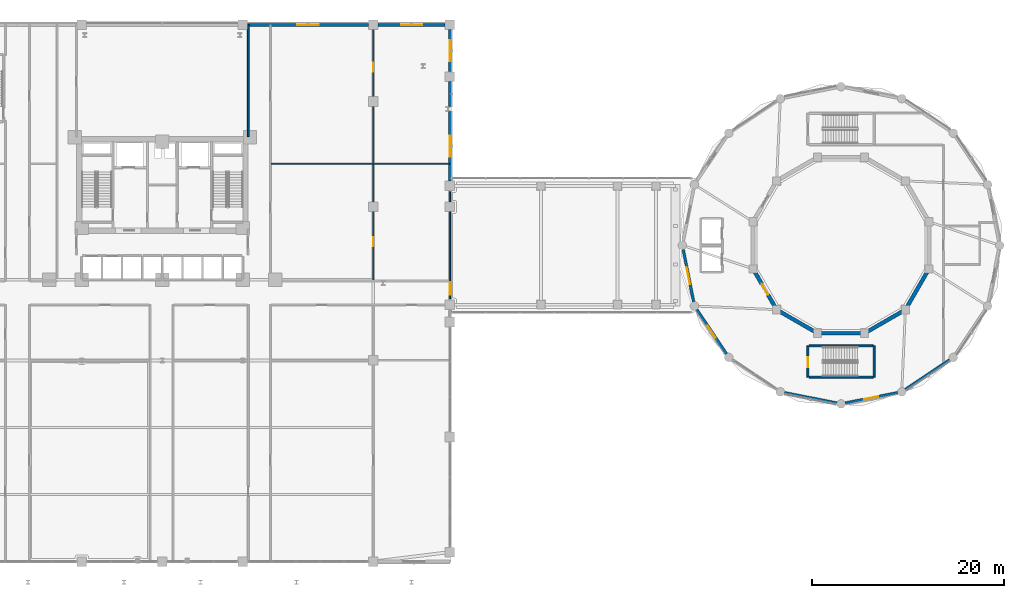
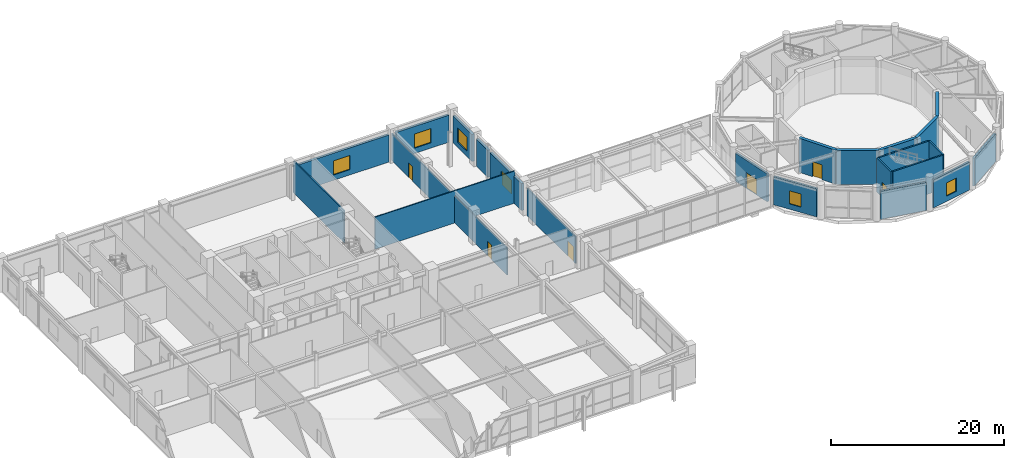
# One storey, part 35 of 48: 23 walls, 6 doors, 6 windows, 12 openings.
"""IFC4 building model written with IfcOpenShell, lengths in metres."""

from ifc_helpers import new_model, si_unit, derived_unit, direction, frame, frame_2d, origin, place, context, subcontext, project, spatial, rectangle, extrude, material, layer, layer_set, type_object, element, fill, save


model = new_model("IFC4")

# Units and contexts
model_context = context("Model", 3, precision=1e-05, world=origin(), true_north=direction((0.0, 1.0)))
body_context = subcontext(model_context, "Body", "Model", "MODEL_VIEW")
ifc_project = project(units=[si_unit("LENGTHUNIT", "METRE"), si_unit("AREAUNIT", "SQUARE_METRE"), si_unit("VOLUMEUNIT", "CUBIC_METRE"), si_unit("PLANEANGLEUNIT", "RADIAN"), si_unit("MASSUNIT", "GRAM", prefix="KILO"), derived_unit("THERMALTRANSMITTANCEUNIT", [(si_unit("POWERUNIT", "WATT"), 1), (si_unit("LENGTHUNIT", "METRE"), -2), (si_unit("THERMODYNAMICTEMPERATUREUNIT", "KELVIN"), -1)])], contexts=[model_context])

# Site, building, storey
site_placement = place(None, origin())
site = spatial("IfcSite", under=ifc_project, at=site_placement, CompositionType="ELEMENT")
building_placement = place(site_placement, origin())
building = spatial("IfcBuilding", under=site, at=building_placement, Name="Korsvarv Bourse and Concert Hall", CompositionType="ELEMENT")
storey_placement = place(building_placement, frame((0.0, 0.0, 4.800048828125)))
storey = spatial("IfcBuildingStorey", under=building, at=storey_placement, Name="L01", CompositionType="ELEMENT", Elevation=4.800048828125)

# Wall, opening, door
ifc_material_1 = material(Name="Concrete C50/60", Category="concrete")
ifc_layer_1 = layer(ifc_material_1, 0.3798828125)
ifc_layer_set_1 = layer_set([ifc_layer_1], Name="Concrete C50/60")
wall_type_1 = type_object("IfcWallType", Name="WL-CORE-380", PredefinedType="SHEAR", material=ifc_layer_set_1)
wall_1_placement = place(storey_placement, frame((103.35009765625, 22.239990234375, 0.0), z_axis=(0.0, 0.0, 1.0), x_axis=(0.0, 1.0, 0.0)))
wall_1 = element("IfcWall", 1, at=wall_1_placement, inside=storey, type_object=wall_type_1, Name="L01 stair shaft structural wall W-L01-STCH2-W", PredefinedType="SHEAR", context=body_context, shape_type="SweptSolid", body=[
    extrude(rectangle(XDim=3.260009765625, YDim=0.199951171875, at=frame_2d((1.6298828125, 0.0))), origin(), (0.0, 0.0, 1.0), 4.800048828125),
])
opening_1_placement = place(wall_1_placement, frame((1.050048828125, 0.0, 0.0)))
opening_1 = element("IfcOpeningElement", 2, at=opening_1_placement, cuts=wall_1, Name="Opening D-01", PredefinedType="OPENING", context=body_context, shape_type="SweptSolid", body=[
    extrude(rectangle(XDim=1.050048828125, YDim=2.10009765625, at=frame_2d((0.52490234375, 1.050048828125))), frame((0.0, 0.10986328125, 0.0), z_axis=(0.0, -1.0, 0.0), x_axis=(1.0, 0.0, 0.0)), (0.0, 0.0, 1.0), 0.219970703125),
])
ifc_material_2 = material(Name="Steel S355 fire door", Category="steel")
door_type_1 = type_object("IfcDoorType", Name="DR-FD60", OperationType="NOTDEFINED", PredefinedType="DOOR", material=ifc_material_2)
door_1_placement = place(opening_1_placement, origin())
door_1 = element("IfcDoor", 3, at=door_1_placement, inside=storey, type_object=door_type_1, Name="L01 interior door DR-L01-STCH2", OperationType="SINGLE_SWING_RIGHT", OverallHeight=2.10009765625, OverallWidth=1.050048828125, PredefinedType="DOOR", context=body_context, shape_type="SweptSolid", body=[
    extrude(rectangle(XDim=1.050048828125, YDim=2.10009765625, at=frame_2d((0.52490234375, 1.050048828125))), frame((0.0, 0.02490234375, 0.0), z_axis=(0.0, -1.0, 0.0), x_axis=(1.0, 0.0, 0.0)), (0.0, 0.0, 1.0), 0.050048828125),
])
fill(opening_1, door_1)

# Walls
for number, where, z_axis, x_axis, name in (
    (4, (103.4599609375, 25.5, 0.0), (0.0, 0.0, 1.0), (1.0, 0.0, 0.0), "L01 stair shaft structural wall W-L01-STCH2-N"),
    (5, (103.4599609375, 22.239990234375, 0.0), (0.0, 0.0, 1.0), (1.0, 0.0, 0.0), "L01 stair shaft structural wall W-L01-STCH2-S"),
):
    element("IfcWall", number, at=place(storey_placement, frame(where, z_axis=z_axis, x_axis=x_axis)), inside=storey, type_object=wall_type_1, Name=name, PredefinedType="SHEAR", context=body_context, shape_type="SweptSolid", body=[
        extrude(rectangle(XDim=6.679931640625, YDim=0.199951171875, at=frame_2d((3.33984375, 0.0))), origin(), (0.0, 0.0, 1.0), 4.800048828125),
    ])
wall_2_placement = place(storey_placement, frame((110.25, 22.239990234375, 0.0), z_axis=(0.0, 0.0, 1.0), x_axis=(0.0, 1.0, 0.0)))
element("IfcWall", 6, at=wall_2_placement, inside=storey, type_object=wall_type_1, Name="L01 stair shaft structural wall W-L01-STCH2-E", PredefinedType="SHEAR", context=body_context, shape_type="SweptSolid", body=[
    extrude(rectangle(XDim=3.260009765625, YDim=0.199951171875, at=frame_2d((1.6298828125, 0.0))), origin(), (0.0, 0.0, 1.0), 4.800048828125),
])

# Wall, opening, door
ifc_layer_2 = layer(ifc_material_1, 0.39990234375)
ifc_layer_set_2 = layer_set([ifc_layer_2], Name="Concrete C50/60")
wall_type_2 = type_object("IfcWallType", Name="WL-DRM-400", PredefinedType="SOLIDWALL", material=ifc_layer_set_2)
wall_3_placement = place(storey_placement, frame((97.623779296875, 33.541259765625, 0.0), z_axis=(0.0, 0.0, 1.0), x_axis=(0.499988900423, -0.866031812033, 0.0)))
wall_3 = element("IfcWall", 7, at=wall_3_placement, inside=storey, type_object=wall_type_2, Name="L01 Concert Hall Acoustic Bowl Wall 7", PredefinedType="SOLIDWALL", context=body_context, shape_type="SweptSolid", body=[
    extrude(rectangle(XDim=4.91748046875, YDim=0.39990234375, at=frame_2d((2.458740234375, 0.0))), origin(), (0.0, 0.0, 1.0), 4.800048828125),
])
opening_2_placement = place(wall_3_placement, frame((1.808837890625, 0.0, 0.0)))
opening_2 = element("IfcOpeningElement", 8, at=opening_2_placement, cuts=wall_3, Name="Opening D-04", PredefinedType="OPENING", context=body_context, shape_type="SweptSolid", body=[
    extrude(rectangle(XDim=1.300048828125, YDim=2.10009765625, at=frame_2d((0.64990234375, 1.050048828125))), frame((0.0, 0.2099609375, 0.0), z_axis=(0.0, -1.0, 0.0), x_axis=(1.0, 0.0, 0.0)), (0.0, 0.0, 1.0), 0.419921875),
])
ifc_material_3 = material(Name="Glazed aluminium double corridor door", Category="aluminium")
door_type_2 = type_object("IfcDoorType", Name="DR-INT-2", OperationType="DOUBLE_DOOR_SINGLE_SWING", PredefinedType="DOOR", material=ifc_material_3)
door_2_placement = place(opening_2_placement, frame((1.300048828125, 0.0, 0.0), z_axis=(0.0, 0.0, 1.0), x_axis=(-1.0, 0.0, 0.0)))
door_2 = element("IfcDoor", 9, at=door_2_placement, inside=storey, type_object=door_type_2, Name="L01 Symphony Auditorium acoustic door DR-L01-CHB2", OperationType="SINGLE_SWING_RIGHT", OverallHeight=2.10009765625, OverallWidth=1.300048828125, PredefinedType="DOOR", context=body_context, shape_type="SweptSolid", body=[
    extrude(rectangle(XDim=1.300048828125, YDim=2.10009765625, at=frame_2d((0.64990234375, 1.050048828125))), frame((0.0, 0.02490234375, 0.0), z_axis=(0.0, -1.0, 0.0), x_axis=(1.0, 0.0, 0.0)), (0.0, 0.0, 1.0), 0.050048828125),
])
fill(opening_2, door_2)

# Walls
for number, where, z_axis, x_axis, name in (
    (10, (100.08251953125, 29.282470703125, 0.0), (0.0, 0.0, 1.0), (0.866031812033, -0.499988900423, 0.0), "L01 Concert Hall Acoustic Bowl Wall 8"),
    (11, (104.34130859375, 26.82373046875, 0.0), (0.0, 0.0, 1.0), (1.0, 0.0, 0.0), "L01 Concert Hall Acoustic Bowl Wall 9"),
    (12, (109.2587890625, 26.82373046875, 0.0), (0.0, 0.0, 1.0), (0.866031812033, 0.499988900423, 0.0), "L01 Concert Hall Acoustic Bowl Wall 10"),
    (13, (113.517578125, 29.282470703125, 0.0), (0.0, 0.0, 1.0), (0.499988900423, 0.866031812033, 0.0), "L01 Concert Hall Acoustic Bowl Wall 11"),
):
    element("IfcWall", number, at=place(storey_placement, frame(where, z_axis=z_axis, x_axis=x_axis)), inside=storey, type_object=wall_type_2, Name=name, PredefinedType="SOLIDWALL", context=body_context, shape_type="SweptSolid", body=[
        extrude(rectangle(XDim=4.91748046875, YDim=0.39990234375, at=frame_2d((2.458740234375, 0.0))), origin(), (0.0, 0.0, 1.0), 4.800048828125),
    ])

# Wall, opening, window
ifc_material_4 = material(Name="Precast concrete C45/55 with granite and terracotta", Category="concrete")
ifc_layer_3 = layer(ifc_material_4, 0.320068359375)
ifc_layer_set_3 = layer_set([ifc_layer_3], Name="Precast concrete C45/55 with granite and terracotta")
wall_type_3 = type_object("IfcWallType", Name="WL-EXT-POD", PredefinedType="SOLIDWALL", material=ifc_layer_set_3)
wall_4_placement = place(storey_placement, frame((44.905029296875, 59.0, 0.0), z_axis=(0.0, 0.0, 1.0), x_axis=(1.0, 0.0, 0.0)))
wall_4 = element("IfcWall", 14, at=wall_4_placement, inside=storey, type_object=wall_type_3, Name="L01 terracotta exterior wall EW-L01-N4", PredefinedType="SOLIDWALL", context=body_context, shape_type="SweptSolid", body=[
    extrude(rectangle(XDim=12.590087890625, YDim=0.320068359375, at=frame_2d((6.294921875, 0.0))), origin(), (0.0, 0.0, 1.0), 3.820068359375),
])
opening_3_placement = place(wall_4_placement, frame((5.195068359375, 0.0, 0.75)))
opening_3 = element("IfcOpeningElement", 15, at=opening_3_placement, cuts=wall_4, Name="Opening W-03", PredefinedType="OPENING", context=body_context, shape_type="SweptSolid", body=[
    extrude(rectangle(XDim=2.199951171875, YDim=2.0, at=frame_2d((1.10009765625, 1.0))), frame((0.0, 0.169921875, 0.0), z_axis=(0.0, -1.0, 0.0), x_axis=(1.0, 0.0, 0.0)), (0.0, 0.0, 1.0), 0.340087890625),
])
ifc_material_5 = material(Name="Thermally broken aluminium frame with triple low-E glass", Category="glass")
window_type_1 = type_object("IfcWindowType", Name="WIN-POD1", PartitioningType="SINGLE_PANEL", PredefinedType="WINDOW", material=ifc_material_5)
window_1_placement = place(opening_3_placement, origin())
window_1 = element("IfcWindow", 16, at=window_1_placement, inside=storey, type_object=window_type_1, Name="L01 punched facade window W-03", OverallHeight=2.0, OverallWidth=2.199951171875, PartitioningType="SINGLE_PANEL", PredefinedType="WINDOW", context=body_context, shape_type="SweptSolid", body=[
    extrude(rectangle(XDim=2.199951171875, YDim=2.0, at=frame_2d((1.10009765625, 1.0))), frame((0.0, 0.030029296875, 0.0), z_axis=(0.0, -1.0, 0.0), x_axis=(1.0, 0.0, 0.0)), (0.0, 0.0, 1.0), 0.06005859375),
])
fill(opening_3, window_1)

wall_5_placement = place(storey_placement, frame((58.5048828125, 59.0, 0.0), z_axis=(0.0, 0.0, 1.0), x_axis=(1.0, 0.0, 0.0)))
wall_5 = element("IfcWall", 17, at=wall_5_placement, inside=storey, type_object=wall_type_3, Name="L01 terracotta exterior wall EW-L01-N5", PredefinedType="SOLIDWALL", context=body_context, shape_type="SweptSolid", body=[
    extrude(rectangle(XDim=6.990234375, YDim=0.320068359375, at=frame_2d((3.4951171875, 0.0))), origin(), (0.0, 0.0, 1.0), 3.820068359375),
])
opening_4_placement = place(wall_5_placement, frame((2.39501953125, 0.0, 0.75)))
opening_4 = element("IfcOpeningElement", 18, at=opening_4_placement, cuts=wall_5, Name="Opening W-03", PredefinedType="OPENING", context=body_context, shape_type="SweptSolid", body=[
    extrude(rectangle(XDim=2.199951171875, YDim=2.0, at=frame_2d((1.10009765625, 1.0))), frame((0.0, 0.169921875, 0.0), z_axis=(0.0, -1.0, 0.0), x_axis=(1.0, 0.0, 0.0)), (0.0, 0.0, 1.0), 0.340087890625),
])
window_2_placement = place(opening_4_placement, origin())
window_2 = element("IfcWindow", 19, at=window_2_placement, inside=storey, type_object=window_type_1, Name="L01 punched facade window W-03", OverallHeight=2.0, OverallWidth=2.199951171875, PartitioningType="SINGLE_PANEL", PredefinedType="WINDOW", context=body_context, shape_type="SweptSolid", body=[
    extrude(rectangle(XDim=2.199951171875, YDim=2.0, at=frame_2d((1.10009765625, 1.0))), frame((0.0, 0.030029296875, 0.0), z_axis=(0.0, -1.0, 0.0), x_axis=(1.0, 0.0, 0.0)), (0.0, 0.0, 1.0), 0.06005859375),
])
fill(opening_4, window_2)

wall_6_placement = place(storey_placement, frame((66.0, 42.705078125, 0.0), z_axis=(0.0, 0.0, 1.0), x_axis=(0.0, 1.0, 0.0)))
wall_6 = element("IfcWall", 20, at=wall_6_placement, inside=storey, type_object=wall_type_3, Name="L01 terracotta exterior wall EW-L01-E3-1", PredefinedType="SOLIDWALL", context=body_context, shape_type="SweptSolid", body=[
    extrude(rectangle(XDim=7.27001953125, YDim=0.320068359375, at=frame_2d((3.635009765625, 0.0))), origin(), (0.0, 0.0, 1.0), 3.820068359375),
])
opening_5_placement = place(wall_6_placement, frame((2.53515625, 0.0, 0.75)))
opening_5 = element("IfcOpeningElement", 21, at=opening_5_placement, cuts=wall_6, Name="Opening W-03", PredefinedType="OPENING", context=body_context, shape_type="SweptSolid", body=[
    extrude(rectangle(XDim=2.199951171875, YDim=2.0, at=frame_2d((1.10009765625, 1.0))), frame((0.0, 0.169921875, 0.0), z_axis=(0.0, -1.0, 0.0), x_axis=(1.0, 0.0, 0.0)), (0.0, 0.0, 1.0), 0.340087890625),
])
window_3_placement = place(opening_5_placement, origin())
window_3 = element("IfcWindow", 22, at=window_3_placement, inside=storey, type_object=window_type_1, Name="L01 punched facade window W-03", OverallHeight=2.0, OverallWidth=2.199951171875, PartitioningType="SINGLE_PANEL", PredefinedType="WINDOW", context=body_context, shape_type="SweptSolid", body=[
    extrude(rectangle(XDim=2.199951171875, YDim=2.0, at=frame_2d((1.10009765625, 1.0))), frame((0.0, 0.030029296875, 0.0), z_axis=(0.0, -1.0, 0.0), x_axis=(1.0, 0.0, 0.0)), (0.0, 0.0, 1.0), 0.06005859375),
])
fill(opening_5, window_3)

# Wall
wall_7_placement = place(storey_placement, frame((66.0, 50.459228515625, 0.0), z_axis=(0.0, 0.0, 1.0), x_axis=(0.0, 1.0, 0.0)))
element("IfcWall", 23, at=wall_7_placement, inside=storey, type_object=wall_type_3, Name="L01 terracotta exterior wall EW-L01-E3-2", PredefinedType="SOLIDWALL", context=body_context, shape_type="SweptSolid", body=[
    extrude(rectangle(XDim=2.6357421875, YDim=0.320068359375, at=frame_2d((1.31787109375, 0.0))), origin(), (0.0, 0.0, 1.0), 3.820068359375),
])

# Wall, opening, window
wall_8_placement = place(storey_placement, frame((66.0, 54.10498046875, 0.0), z_axis=(0.0, 0.0, 1.0), x_axis=(0.0, 1.0, 0.0)))
wall_8 = element("IfcWall", 24, at=wall_8_placement, inside=storey, type_object=wall_type_3, Name="L01 terracotta exterior wall EW-L01-E4", PredefinedType="SOLIDWALL", context=body_context, shape_type="SweptSolid", body=[
    extrude(rectangle(XDim=4.39013671875, YDim=0.320068359375, at=frame_2d((2.195068359375, 0.0))), origin(), (0.0, 0.0, 1.0), 3.820068359375),
])
opening_6_placement = place(wall_8_placement, frame((1.094970703125, 0.0, 0.75)))
opening_6 = element("IfcOpeningElement", 25, at=opening_6_placement, cuts=wall_8, Name="Opening W-03", PredefinedType="OPENING", context=body_context, shape_type="SweptSolid", body=[
    extrude(rectangle(XDim=2.199951171875, YDim=2.0, at=frame_2d((1.10009765625, 1.0))), frame((0.0, 0.169921875, 0.0), z_axis=(0.0, -1.0, 0.0), x_axis=(1.0, 0.0, 0.0)), (0.0, 0.0, 1.0), 0.340087890625),
])
window_4_placement = place(opening_6_placement, origin())
window_4 = element("IfcWindow", 26, at=window_4_placement, inside=storey, type_object=window_type_1, Name="L01 punched facade window W-03", OverallHeight=2.0, OverallWidth=2.199951171875, PartitioningType="SINGLE_PANEL", PredefinedType="WINDOW", context=body_context, shape_type="SweptSolid", body=[
    extrude(rectangle(XDim=2.199951171875, YDim=2.0, at=frame_2d((1.10009765625, 1.0))), frame((0.0, 0.030029296875, 0.0), z_axis=(0.0, -1.0, 0.0), x_axis=(1.0, 0.0, 0.0)), (0.0, 0.0, 1.0), 0.06005859375),
])
fill(opening_6, window_4)

# Wall, opening, door
ifc_material_6 = material(Name="Precast concrete C45/55 with fluted terracotta pier", Category="concrete")
ifc_layer_4 = layer(ifc_material_6, 0.280029296875)
ifc_layer_set_4 = layer_set([ifc_layer_4], Name="Precast concrete C45/55 with fluted terracotta pier")
wall_type_4 = type_object("IfcWallType", Name="WL-EXT-TC2", PredefinedType="SOLIDWALL", material=ifc_layer_set_4)
wall_9_placement = place(storey_placement, frame((90.3388671875, 35.5537109375, 0.0), z_axis=(0.0, 0.0, 1.0), x_axis=(0.19504963768, -0.980793372144, 0.0)))
wall_9 = element("IfcWall", 27, at=wall_9_placement, inside=storey, type_object=wall_type_4, Name="L01 terracotta exterior wall EW-L01-CHD09", PredefinedType="SOLIDWALL", context=body_context, shape_type="SweptSolid", body=[
    extrude(rectangle(XDim=5.54736328125, YDim=0.280029296875, at=frame_2d((2.773681640625, 0.0))), origin(), (0.0, 0.0, 1.0), 3.949951171875),
])
opening_7_placement = place(wall_9_placement, frame((1.873779296875, 0.0, 0.0)))
opening_7 = element("IfcOpeningElement", 28, at=opening_7_placement, cuts=wall_9, Name="Opening ED-03", PredefinedType="OPENING", context=body_context, shape_type="SweptSolid", body=[
    extrude(rectangle(XDim=1.800048828125, YDim=2.199951171875, at=frame_2d((0.89990234375, 1.10009765625))), frame((0.0, 0.14990234375, 0.0), z_axis=(0.0, -1.0, 0.0), x_axis=(1.0, 0.0, 0.0)), (0.0, 0.0, 1.0), 0.300048828125),
])
ifc_material_7 = material(Name="Thermally broken anodised aluminium and laminated safety glass", Category="aluminium")
door_type_3 = type_object("IfcDoorType", Name="DR-EXT-EXIT-1800X2200", OperationType="DOUBLE_DOOR_SINGLE_SWING", PredefinedType="DOOR", material=ifc_material_7)
door_3_placement = place(opening_7_placement, frame((1.800048828125, 0.0, 0.0), z_axis=(0.0, 0.0, 1.0), x_axis=(-1.0, 0.0, 0.0)))
door_3 = element("IfcDoor", 29, at=door_3_placement, inside=storey, type_object=door_type_3, Name="L01 Concert Hall Link Bridge Portal Door 9", OperationType="DOUBLE_DOOR_SINGLE_SWING", OverallHeight=2.199951171875, OverallWidth=1.800048828125, PredefinedType="DOOR", context=body_context, shape_type="SweptSolid", body=[
    extrude(rectangle(XDim=1.800048828125, YDim=2.199951171875, at=frame_2d((0.89990234375, 1.10009765625))), frame((0.0, 0.02490234375, 0.0), z_axis=(0.0, -1.0, 0.0), x_axis=(1.0, 0.0, 0.0)), (0.0, 0.0, 1.0), 0.050048828125),
])
fill(opening_7, door_3)

# Wall, opening, window
wall_10_placement = place(storey_placement, frame((91.7626953125, 29.288330078125, 0.0), z_axis=(0.0, 0.0, 1.0), x_axis=(0.555542879373, -0.831487888774, 0.0)))
wall_10 = element("IfcWall", 30, at=wall_10_placement, inside=storey, type_object=wall_type_4, Name="L01 terracotta exterior wall EW-L01-CHD10", PredefinedType="SOLIDWALL", context=body_context, shape_type="SweptSolid", body=[
    extrude(rectangle(XDim=5.54736328125, YDim=0.280029296875, at=frame_2d((2.773681640625, 0.0))), origin(), (0.0, 0.0, 1.0), 3.949951171875),
])
opening_8_placement = place(wall_10_placement, frame((2.023681640625, 0.0, 0.75)))
opening_8 = element("IfcOpeningElement", 31, at=opening_8_placement, cuts=wall_10, Name="Opening W-04", PredefinedType="OPENING", context=body_context, shape_type="SweptSolid", body=[
    extrude(rectangle(XDim=1.5, YDim=1.85009765625, at=frame_2d((0.75, 0.925048828125))), frame((0.0, 0.14990234375, 0.0), z_axis=(0.0, -1.0, 0.0), x_axis=(1.0, 0.0, 0.0)), (0.0, 0.0, 1.0), 0.300048828125),
])
window_type_2 = type_object("IfcWindowType", Name="WIN-POD2", PartitioningType="SINGLE_PANEL", PredefinedType="WINDOW", material=ifc_material_5)
window_5_placement = place(opening_8_placement, origin())
window_5 = element("IfcWindow", 32, at=window_5_placement, inside=storey, type_object=window_type_2, Name="L01 punched facade window W-04", OverallHeight=1.85009765625, OverallWidth=1.5, PartitioningType="SINGLE_PANEL", PredefinedType="WINDOW", context=body_context, shape_type="SweptSolid", body=[
    extrude(rectangle(XDim=1.5, YDim=1.85009765625, at=frame_2d((0.75, 0.925048828125))), frame((0.0, 0.030029296875, 0.0), z_axis=(0.0, -1.0, 0.0), x_axis=(1.0, 0.0, 0.0)), (0.0, 0.0, 1.0), 0.06005859375),
])
fill(opening_8, window_5)

# Wall
wall_11_placement = place(storey_placement, frame((100.912841796875, 20.62109375, 0.0), z_axis=(0.0, 0.0, 1.0), x_axis=(0.980784952156, -0.195091972221, 0.0)))
element("IfcWall", 33, at=wall_11_placement, inside=storey, type_object=wall_type_4, Name="L01 terracotta exterior wall EW-L01-CHD12", PredefinedType="SOLIDWALL", context=body_context, shape_type="SweptSolid", body=[
    extrude(rectangle(XDim=5.547607421875, YDim=0.280029296875, at=frame_2d((2.77392578125, 0.0))), origin(), (0.0, 0.0, 1.0), 3.949951171875),
])

# Wall, opening, window
wall_12_placement = place(storey_placement, frame((107.246337890625, 19.538818359375, 0.0), z_axis=(0.0, 0.0, 1.0), x_axis=(0.980783277025, 0.195100393406, 0.0)))
wall_12 = element("IfcWall", 34, at=wall_12_placement, inside=storey, type_object=wall_type_4, Name="L01 terracotta exterior wall EW-L01-CHD13", PredefinedType="SOLIDWALL", context=body_context, shape_type="SweptSolid", body=[
    extrude(rectangle(XDim=5.54736328125, YDim=0.280029296875, at=frame_2d((2.773681640625, 0.0))), origin(), (0.0, 0.0, 1.0), 3.949951171875),
])
opening_9_placement = place(wall_12_placement, frame((2.023681640625, 0.0, 0.75)))
opening_9 = element("IfcOpeningElement", 35, at=opening_9_placement, cuts=wall_12, Name="Opening W-04", PredefinedType="OPENING", context=body_context, shape_type="SweptSolid", body=[
    extrude(rectangle(XDim=1.5, YDim=1.85009765625, at=frame_2d((0.75, 0.925048828125))), frame((0.0, 0.14990234375, 0.0), z_axis=(0.0, -1.0, 0.0), x_axis=(1.0, 0.0, 0.0)), (0.0, 0.0, 1.0), 0.300048828125),
])
window_6_placement = place(opening_9_placement, origin())
window_6 = element("IfcWindow", 36, at=window_6_placement, inside=storey, type_object=window_type_2, Name="L01 punched facade window W-04", OverallHeight=1.85009765625, OverallWidth=1.5, PartitioningType="SINGLE_PANEL", PredefinedType="WINDOW", context=body_context, shape_type="SweptSolid", body=[
    extrude(rectangle(XDim=1.5, YDim=1.85009765625, at=frame_2d((0.75, 0.925048828125))), frame((0.0, 0.030029296875, 0.0), z_axis=(0.0, -1.0, 0.0), x_axis=(1.0, 0.0, 0.0)), (0.0, 0.0, 1.0), 0.06005859375),
])
fill(opening_9, window_6)

# Wall
wall_13_placement = place(storey_placement, frame((113.51171875, 20.962646484375, 0.0), z_axis=(0.0, 0.0, 1.0), x_axis=(0.831467559129, 0.555573305798, 0.0)))
element("IfcWall", 37, at=wall_13_placement, inside=storey, type_object=wall_type_4, Name="L01 terracotta exterior wall EW-L01-CHD14", PredefinedType="SOLIDWALL", context=body_context, shape_type="SweptSolid", body=[
    extrude(rectangle(XDim=5.54736328125, YDim=0.280029296875, at=frame_2d((2.773681640625, 0.0))), origin(), (0.0, 0.0, 1.0), 3.949951171875),
])

# Wall, opening, door
ifc_material_8 = material(Name="Double-stud fire-rated acoustic partition", Category="gypsum")
ifc_layer_5 = layer(ifc_material_8, 0.159912109375)
ifc_layer_set_5 = layer_set([ifc_layer_5], Name="Double-stud fire-rated acoustic partition")
wall_type_5 = type_object("IfcWallType", Name="WL-INT-EI60", PredefinedType="PARTITIONING", material=ifc_layer_set_5)
wall_14_placement = place(storey_placement, frame((66.0, 30.39990234375, 0.0), z_axis=(0.0, 0.0, 1.0), x_axis=(0.0, 1.0, 0.0)))
wall_14 = element("IfcWall", 38, at=wall_14_placement, inside=storey, type_object=wall_type_5, Name="L01 interior partition wall W-L01-ELKP", PredefinedType="PARTITIONING", context=body_context, shape_type="SweptSolid", body=[
    extrude(rectangle(XDim=11.2001953125, YDim=0.159912109375, at=frame_2d((5.60009765625, 0.0))), origin(), (0.0, 0.0, 1.0), 3.820068359375),
])
opening_10_placement = place(wall_14_placement, frame((0.449951171875, 0.0, 0.0)))
opening_10 = element("IfcOpeningElement", 39, at=opening_10_placement, cuts=wall_14, Name="Opening D-04", PredefinedType="OPENING", context=body_context, shape_type="SweptSolid", body=[
    extrude(rectangle(XDim=1.300048828125, YDim=2.10009765625, at=frame_2d((0.64990234375, 1.050048828125))), frame((0.0, 0.08984375, 0.0), z_axis=(0.0, -1.0, 0.0), x_axis=(1.0, 0.0, 0.0)), (0.0, 0.0, 1.0), 0.179931640625),
])
door_4_placement = place(opening_10_placement, origin())
door_4 = element("IfcDoor", 40, at=door_4_placement, inside=storey, type_object=door_type_2, Name="L01 interior door DR-L01-LKPOD", OperationType="DOUBLE_DOOR_SINGLE_SWING", OverallHeight=2.10009765625, OverallWidth=1.300048828125, PredefinedType="DOOR", context=body_context, shape_type="SweptSolid", body=[
    extrude(rectangle(XDim=1.300048828125, YDim=2.10009765625, at=frame_2d((0.64990234375, 1.050048828125))), frame((0.0, 0.02490234375, 0.0), z_axis=(0.0, -1.0, 0.0), x_axis=(1.0, 0.0, 0.0)), (0.0, 0.0, 1.0), 0.050048828125),
])
fill(opening_10, door_4)

# Wall
wall_15_placement = place(storey_placement, frame((44.965087890625, 47.340087890625, 0.0), z_axis=(0.0, 0.0, 1.0), x_axis=(0.0, 1.0, 0.0)))
element("IfcWall", 41, at=wall_15_placement, inside=storey, type_object=wall_type_5, Name="L01 interior partition wall W-L01-PCOR-17", PredefinedType="PARTITIONING", context=body_context, shape_type="SweptSolid", body=[
    extrude(rectangle(XDim=11.639892578125, YDim=0.159912109375, at=frame_2d((5.81982421875, 0.0))), origin(), (0.0, 0.0, 1.0), 4.52001953125),
])

# Wall, openings, doors
ifc_material_9 = material(Name="Insulated steel-stud office acoustic partition", Category="gypsum")
ifc_layer_6 = layer(ifc_material_9, 0.139892578125)
ifc_layer_set_6 = layer_set([ifc_layer_6], Name="Insulated steel-stud office acoustic partition")
wall_type_6 = type_object("IfcWallType", Name="WL-INT-P1", PredefinedType="PARTITIONING", material=ifc_layer_set_6)
wall_16_placement = place(storey_placement, frame((58.0048828125, 32.35693359375, 0.0), z_axis=(0.0, 0.0, 1.0), x_axis=(0.0, 1.0, 0.0)))
wall_16 = element("IfcWall", 42, at=wall_16_placement, inside=storey, type_object=wall_type_6, Name="L01 interior partition wall W-L01-PCOR-24", PredefinedType="PARTITIONING", context=body_context, shape_type="SweptSolid", body=[
    extrude(rectangle(XDim=26.623046875, YDim=0.139892578125, at=frame_2d((13.3115234375, 0.0))), origin(), (0.0, 0.0, 1.0), 3.820068359375),
])
opening_11_placement = place(wall_16_placement, frame((3.518798828125, 0.0, 0.0)))
opening_11 = element("IfcOpeningElement", 43, at=opening_11_placement, cuts=wall_16, Name="Opening D-03", PredefinedType="OPENING", context=body_context, shape_type="SweptSolid", body=[
    extrude(rectangle(XDim=0.949951171875, YDim=2.050048828125, at=frame_2d((0.47509765625, 1.02490234375))), frame((0.0, 0.080078125, 0.0), z_axis=(0.0, -1.0, 0.0), x_axis=(1.0, 0.0, 0.0)), (0.0, 0.0, 1.0), 0.159912109375),
])
opening_12_placement = place(wall_16_placement, frame((21.72998046875, 0.0, 0.0)))
opening_12 = element("IfcOpeningElement", 44, at=opening_12_placement, cuts=wall_16, Name="Opening D-03", PredefinedType="OPENING", context=body_context, shape_type="SweptSolid", body=[
    extrude(rectangle(XDim=0.949951171875, YDim=2.050048828125, at=frame_2d((0.47509765625, 1.02490234375))), frame((0.0, 0.080078125, 0.0), z_axis=(0.0, -1.0, 0.0), x_axis=(1.0, 0.0, 0.0)), (0.0, 0.0, 1.0), 0.159912109375),
])
ifc_material_10 = material(Name="Nordic oak acoustic office door", Category="wood")
door_type_4 = type_object("IfcDoorType", Name="DR-INT-1", OperationType="NOTDEFINED", PredefinedType="DOOR", material=ifc_material_10)
door_5_placement = place(opening_11_placement, origin())
door_5 = element("IfcDoor", 45, at=door_5_placement, inside=storey, type_object=door_type_4, Name="L01 interior door DR-L01-PCOR-RM77", OperationType="SINGLE_SWING_LEFT", OverallHeight=2.050048828125, OverallWidth=0.949951171875, PredefinedType="DOOR", context=body_context, shape_type="SweptSolid", body=[
    extrude(rectangle(XDim=0.949951171875, YDim=2.050048828125, at=frame_2d((0.47509765625, 1.02490234375))), frame((0.0, 0.02490234375, 0.0), z_axis=(0.0, -1.0, 0.0), x_axis=(1.0, 0.0, 0.0)), (0.0, 0.0, 1.0), 0.050048828125),
])
fill(opening_11, door_5)
door_6_placement = place(opening_12_placement, origin())
door_6 = element("IfcDoor", 46, at=door_6_placement, inside=storey, type_object=door_type_4, Name="L01 interior door DR-L01-PCOR-SEM8", OperationType="SINGLE_SWING_RIGHT", OverallHeight=2.050048828125, OverallWidth=0.949951171875, PredefinedType="DOOR", context=body_context, shape_type="SweptSolid", body=[
    extrude(rectangle(XDim=0.949951171875, YDim=2.050048828125, at=frame_2d((0.47509765625, 1.02490234375))), frame((0.0, 0.02490234375, 0.0), z_axis=(0.0, -1.0, 0.0), x_axis=(1.0, 0.0, 0.0)), (0.0, 0.0, 1.0), 0.050048828125),
])
fill(opening_12, door_6)

# Wall
wall_17_placement = place(storey_placement, frame((47.35693359375, 44.5048828125, 0.0), z_axis=(0.0, 0.0, 1.0), x_axis=(1.0, 0.0, 0.0)))
element("IfcWall", 47, at=wall_17_placement, inside=storey, type_object=wall_type_6, Name="L01 interior partition wall W-L01-PCOR-27", PredefinedType="PARTITIONING", context=body_context, shape_type="SweptSolid", body=[
    extrude(rectangle(XDim=18.623046875, YDim=0.139892578125, at=frame_2d((9.3115234375, 0.0))), origin(), (0.0, 0.0, 1.0), 4.52001953125),
])

save(model, "model.ifc")
